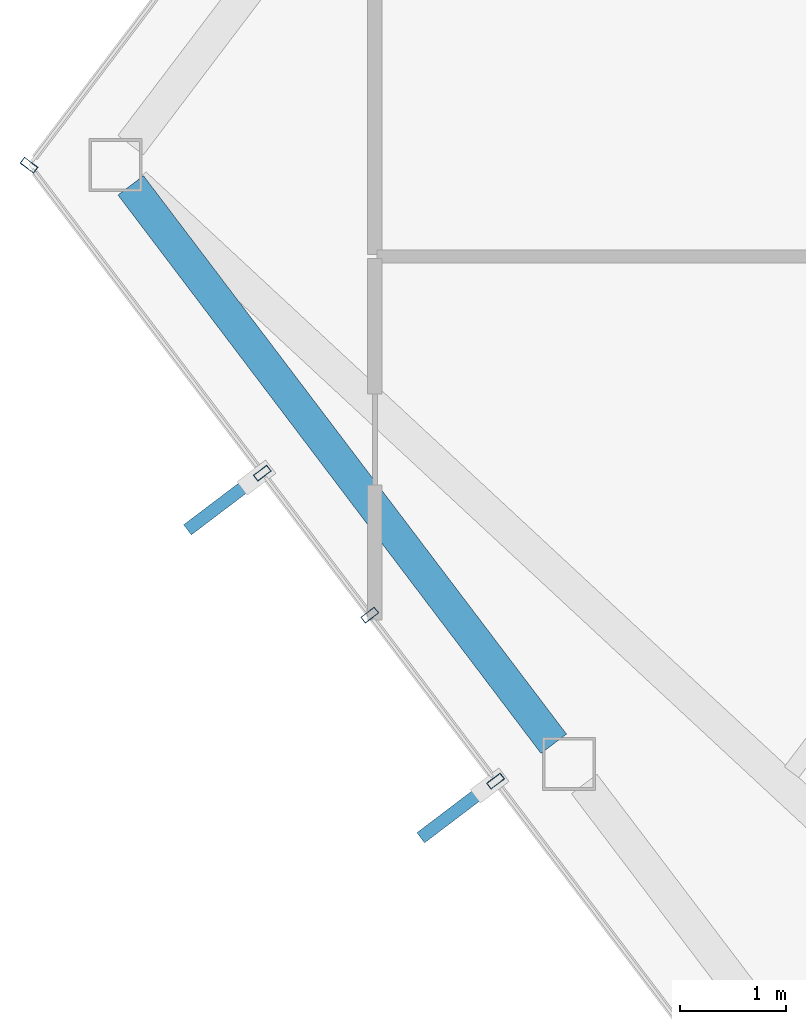
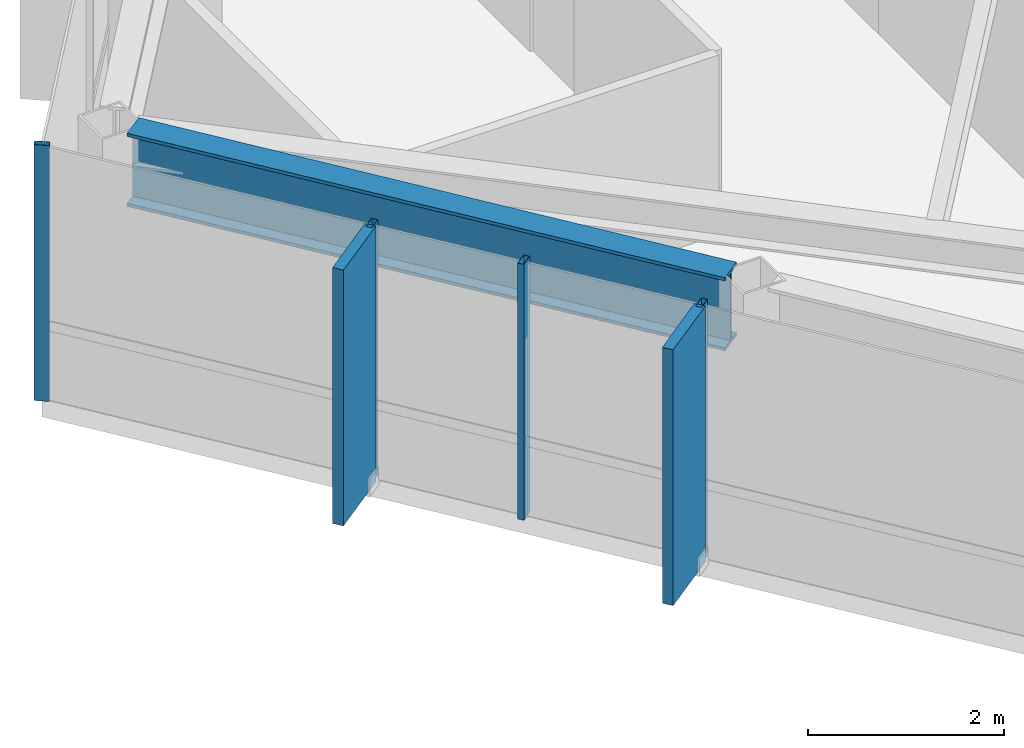
# One storey, part 8 of 25: 6 members, 1 beam, 2 elements without a shape of their own.
"""IFC4 building model written with IfcOpenShell, lengths in metres."""

import ifcopenshell
import ifcopenshell.guid

model = None  # the IFC model being written
_history = None  # IfcOwnerHistory: only IFC2X3 demands one
_inside = {}  # id of a spatial element -> (the spatial element, [elements in it])
_under = {}  # id of a project, library or spatial element -> (it, [spatial elements below it])
_declared = {}  # id of a project -> (the project, [libraries it declares])
_typed = {}  # id of a type object -> (the type object, [elements of that type])
_made_of = {}  # id of a material, layer set ... -> (it, [elements and type objects made of it])


def new_model(schema):
    """Start an empty IFC model of exactly this schema.

    Asked for "IFC4X3", IfcOpenShell would pick the latest addendum, in which some entities
    have other attributes; the version numbers below select the first issue.
    IFC2X3 requires an IfcOwnerHistory on every rooted entity: one is made here for all.
    """
    global model, _history
    if schema == "IFC4X3":
        model = ifcopenshell.file(schema_version=(4, 3, 0, 0))
    else:
        model = ifcopenshell.file(schema=schema)
    _inside.clear()
    _under.clear()
    _declared.clear()
    _typed.clear()
    _made_of.clear()
    _history = None
    if model.schema == "IFC2X3":
        org = make("IfcOrganization", Name="unknown")
        user = make(
            "IfcPersonAndOrganization",
            ThePerson=make("IfcPerson", FamilyName="unknown"),
            TheOrganization=org,
        )
        app = make(
            "IfcApplication",
            ApplicationDeveloper=org,
            Version="unknown",
            ApplicationFullName="unknown",
            ApplicationIdentifier="unknown",
        )
        _history = make(
            "IfcOwnerHistory",
            OwningUser=user,
            OwningApplication=app,
            ChangeAction="ADDED",
            CreationDate=0,
        )
    return model


def make(cls, **values):
    """One entity of the class cls with the attributes given. An attribute that is None is left unset."""
    return model.create_entity(
        cls, **{name: value for name, value in values.items() if value is not None}
    )


def rooted(cls, **values):
    """An entity with a GlobalId (a new one), such as an element, a storey or a relation."""
    return make(cls, GlobalId=ifcopenshell.guid.new(), OwnerHistory=_history, **values)


def si_unit(unit_type, name, prefix=None):
    """IfcSIUnit, for example si_unit("LENGTHUNIT", "METRE", prefix="MILLI")."""
    return make("IfcSIUnit", UnitType=unit_type, Prefix=prefix, Name=name)


def assignment(units):
    """IfcUnitAssignment: the units of a project."""
    return None if units is None else make("IfcUnitAssignment", Units=units)


def point(xyz):
    """IfcCartesianPoint."""
    return None if xyz is None else make("IfcCartesianPoint", Coordinates=xyz)


def direction(xyz):
    """IfcDirection."""
    return None if xyz is None else make("IfcDirection", DirectionRatios=xyz)


def frame(location, z_axis=None, x_axis=None):
    """IfcAxis2Placement3D, a coordinate frame: its origin and axes. An axis left out is left unset."""
    return make(
        "IfcAxis2Placement3D",
        Location=point(location),
        Axis=direction(z_axis),
        RefDirection=direction(x_axis),
    )


def frame_2d(location, x_axis=None):
    """IfcAxis2Placement2D, a coordinate frame in the plane: its origin and x axis."""
    return make(
        "IfcAxis2Placement2D", Location=point(location), RefDirection=direction(x_axis)
    )


def origin():
    """The frame at (0, 0, 0) with its axes left unset."""
    return frame((0.0, 0.0, 0.0))


def origin_2d():
    """The frame at (0, 0) in the plane with its x axis left unset."""
    return frame_2d((0.0, 0.0))


def place(relative_to, where):
    """IfcLocalPlacement: puts the frame where relative to a parent placement (None: the world)."""
    return make(
        "IfcLocalPlacement", PlacementRelTo=relative_to, RelativePlacement=where
    )


def context(
    kind, dimensions, precision=None, world=None, true_north=None, identifier=None
):
    """IfcGeometricRepresentationContext, for example the 3D "Model" context."""
    return make(
        "IfcGeometricRepresentationContext",
        ContextIdentifier=identifier,
        ContextType=kind,
        CoordinateSpaceDimension=dimensions,
        Precision=precision,
        WorldCoordinateSystem=world,
        TrueNorth=true_north,
    )


def subcontext(parent, identifier, kind, view, scale=None):
    """IfcGeometricRepresentationSubContext, for example "Body" below "Model"."""
    return make(
        "IfcGeometricRepresentationSubContext",
        ContextIdentifier=identifier,
        ContextType=kind,
        ParentContext=parent,
        TargetScale=scale,
        TargetView=view,
    )


def project(units=None, contexts=None):
    """IfcProject with its units and contexts."""
    return rooted(
        "IfcProject",
        Name="project",
        RepresentationContexts=contexts,
        UnitsInContext=assignment(units),
    )


def spatial(cls, under=None, at=None, **own):
    """A site, building, storey or space (cls), placed at a placement, below another one or the project."""
    s = rooted(cls, ObjectPlacement=at, **own)
    if under is not None:
        _under.setdefault(under.id(), (under, []))[1].append(s)
    return s


def profile(cls, at=None, kind="AREA", **sizes):
    """A parametric profile (cls). Its sizes go by their IFC names, for example OverallWidth=200.0."""
    return make(cls, ProfileType=kind, Position=at, **sizes)


def rectangle(**sizes):
    """IfcRectangleProfileDef."""
    return profile("IfcRectangleProfileDef", **sizes)


def hollow_rectangle(**sizes):
    """IfcRectangleHollowProfileDef."""
    return profile("IfcRectangleHollowProfileDef", **sizes)


def i_section(**sizes):
    """IfcIShapeProfileDef."""
    return profile("IfcIShapeProfileDef", **sizes)


def extrude(swept, where, along, depth):
    """IfcExtrudedAreaSolid: the profile swept, set in the frame where, extruded along a direction by depth."""
    return make(
        "IfcExtrudedAreaSolid",
        SweptArea=swept,
        Position=where,
        ExtrudedDirection=direction(along),
        Depth=depth,
    )


def shape(context_of_items, identifier, shape_type, items):
    """IfcShapeRepresentation: the items that make up one representation, for example the "Body"."""
    return make(
        "IfcShapeRepresentation",
        ContextOfItems=context_of_items,
        RepresentationIdentifier=identifier,
        RepresentationType=shape_type,
        Items=items,
    )


def material(Name=None, Category=None):
    """IfcMaterial."""
    return make("IfcMaterial", Name=Name, Category=Category)


def layer(
    of_material, thickness, ventilated=None, Name=None, Category=None, Priority=None
):
    """IfcMaterialLayer: one layer of a wall or slab, of a material (None: an air gap)."""
    return make(
        "IfcMaterialLayer",
        Material=of_material,
        LayerThickness=thickness,
        IsVentilated=ventilated,
        Name=Name,
        Category=Category,
        Priority=Priority,
    )


def layer_set(layers, Name=None):
    """IfcMaterialLayerSet."""
    return make("IfcMaterialLayerSet", MaterialLayers=layers, LayerSetName=Name)


def material_profile(
    of_material, cross_section, Name=None, Category=None, Priority=None
):
    """IfcMaterialProfile: a cross section and its material."""
    return make(
        "IfcMaterialProfile",
        Name=Name,
        Material=of_material,
        Profile=cross_section,
        Priority=Priority,
        Category=Category,
    )


def profile_set(profiles, Name=None, composite=None):
    """IfcMaterialProfileSet."""
    return make(
        "IfcMaterialProfileSet",
        Name=Name,
        MaterialProfiles=profiles,
        CompositeProfile=composite,
    )


def made_of(thing, what):
    """Note that an element or type object is made of a material, layer set ...; save() writes the relation."""
    if what is not None:
        _made_of.setdefault(what.id(), (what, []))[1].append(thing)
    return thing


def type_object(cls, material=None, **own):
    """A type object (cls), such as IfcWallType, which elements share."""
    return made_of(rooted(cls, **own), material)


def element(
    cls,
    number,
    at=None,
    inside=None,
    cuts=None,
    type_object=None,
    material=None,
    context=None,
    identifier="Body",
    shape_type=None,
    held_by="IfcProductDefinitionShape",
    body=None,
    shapes=None,
    **own,
):
    """One element of the class cls, such as IfcWall. Its Tag is "e" and its number.

    at: its placement. inside: the storey or other place that contains it. cuts: it is an
    opening in that element (IfcRelVoidsElement). A single representation is given by context,
    identifier, shape_type and body (its items); several are given by shapes. held_by: the class
    of the entity that holds the representations. save() writes the other relations.
    """
    e = rooted(cls, Tag="e%d" % number, ObjectPlacement=at, **own)
    if body is not None:
        shapes = [shape(context, identifier, shape_type, body)]
    if shapes is not None:
        e.Representation = make(held_by, Representations=shapes)
    if inside is not None:
        _inside.setdefault(inside.id(), (inside, []))[1].append(e)
    if cuts is not None:
        rooted(
            "IfcRelVoidsElement", RelatingBuildingElement=cuts, RelatedOpeningElement=e
        )
    if type_object is not None:
        _typed.setdefault(type_object.id(), (type_object, []))[1].append(e)
    return made_of(e, material)


def aggregate(whole, parts):
    """IfcRelAggregates: a whole, such as a stair, and the parts it consists of."""
    return rooted("IfcRelAggregates", RelatingObject=whole, RelatedObjects=parts)


def save(model, path):
    """Write the relations noted so far, then the file.

    IfcRelAggregates (storeys below a building ...), IfcRelContainedInSpatialStructure (elements
    in a storey), IfcRelDefinesByType, IfcRelAssociatesMaterial and IfcRelDeclares: one each for
    every whole, place, type object, material and project.
    """
    for whole, parts in _under.values():
        aggregate(whole, parts)
    for where, things in _inside.values():
        rooted(
            "IfcRelContainedInSpatialStructure",
            RelatedElements=things,
            RelatingStructure=where,
        )
    for kind, things in _typed.values():
        rooted("IfcRelDefinesByType", RelatedObjects=things, RelatingType=kind)
    for what, things in _made_of.values():
        rooted("IfcRelAssociatesMaterial", RelatedObjects=things, RelatingMaterial=what)
    for by, libraries in _declared.values():
        rooted("IfcRelDeclares", RelatingContext=by, RelatedDefinitions=libraries)
    model.write(path)


model = new_model("IFC4")

# Units and contexts
model_context = context("Model", 3, precision=1e-05, world=origin(), true_north=direction((0.0, 1.0)))
body_context = subcontext(model_context, "Body", "Model", "MODEL_VIEW")
ifc_project = project(units=[si_unit("LENGTHUNIT", "METRE"), si_unit("AREAUNIT", "SQUARE_METRE"), si_unit("VOLUMEUNIT", "CUBIC_METRE"), si_unit("PLANEANGLEUNIT", "RADIAN"), si_unit("MASSUNIT", "GRAM", prefix="KILO")], contexts=[model_context])

# Site, building, storey
site_placement = place(None, origin())
site = spatial("IfcSite", under=ifc_project, at=site_placement, CompositionType="ELEMENT")
building_placement = place(site_placement, origin())
building = spatial("IfcBuilding", under=site, at=building_placement, Name="Zarrinselat Tower", CompositionType="ELEMENT")
storey_placement = place(building_placement, frame((0.0, 0.0, 261.800048828125)))
storey = spatial("IfcBuildingStorey", under=building, at=storey_placement, Name="L66", CompositionType="ELEMENT", Elevation=261.800048828125)

# Beam
ifc_material_1 = material(Name="Steel S460M", Category="steel")
ifc_material_profile_1 = material_profile(ifc_material_1, i_section(OverallWidth=0.302001953125, OverallDepth=0.909912109375, WebThickness=0.02099609375, FlangeThickness=0.0400390625, at=origin_2d()), Name="HEM 900")
ifc_profile_set_1 = profile_set([ifc_material_profile_1], Name="Steel S460M")
beam_type = type_object("IfcBeamType", Name="BM-HEM900", PredefinedType="BEAM", material=ifc_profile_set_1)
beam_placement = place(storey_placement, frame((16.819091796875, 42.009765625, 2.724853515625), z_axis=(0.603884016578, -0.797072201574, 0.0), x_axis=(0.797072201574, 0.603884016578, 0.0)))
element("IfcBeam", 1, at=beam_placement, inside=storey, type_object=beam_type, Name="L66 Perimeter Spandrel Girder SP06", PredefinedType="BEAM", context=body_context, shape_type="SweptSolid", body=[
    extrude(i_section(OverallWidth=0.302001953125, OverallDepth=0.909912109375, WebThickness=0.02099609375, FlangeThickness=0.0400390625, at=origin_2d()), origin(), (0.0, 0.0, 1.0), 6.605712890625),
])

# Curtain wall, member
ifc_material_2 = material(Name="Extruded Aluminium Alloy EN AW-6063 T6", Category="aluminium")
ifc_layer = layer(ifc_material_2, 0.169921875)
ifc_layer_set = layer_set([ifc_layer], Name="Extruded Aluminium Alloy EN AW-6063 T6")
curtain_wall_type = type_object("IfcCurtainWallType", Name="CWS-RES", PredefinedType="NOTDEFINED", material=ifc_layer_set)
curtain_wall_1_placement = place(storey_placement, origin())
curtain_wall_1 = element("IfcCurtainWall", 2, at=curtain_wall_1_placement, inside=storey, type_object=curtain_wall_type, Name="L66 Unitised Curtain Wall CW-L66-E02", PredefinedType="NOTDEFINED")
ifc_material_3 = material(Name="Extruded Aluminium Alloy EN AW-6063 T6", Category="aluminium")
ifc_material_profile_2 = material_profile(ifc_material_3, hollow_rectangle(XDim=0.070068359375, YDim=0.159912109375, WallThickness=0.00390625, at=origin_2d()), Name="RHS 160x70x4")
ifc_profile_set_2 = profile_set([ifc_material_profile_2], Name="Extruded Aluminium Alloy EN AW-6063 T6")
member_type_1 = type_object("IfcMemberType", Name="MEM-CW-MUL2", PredefinedType="MULLION", material=ifc_profile_set_2)
member_1_placement = place(storey_placement, frame((15.860107421875, 42.199462890625, 0.0), z_axis=(0.0, 0.0, 1.0), x_axis=(-0.60385470922, -0.797094404793, 0.0)))
member_1 = element("IfcMember", 3, at=member_1_placement, type_object=member_type_1, Name="CW-L66-E02 Mullion 3", PredefinedType="MULLION", context=body_context, shape_type="SweptSolid", body=[
    extrude(hollow_rectangle(XDim=0.070068359375, YDim=0.159912109375, WallThickness=0.00390625, at=origin_2d()), origin(), (0.0, 0.0, 1.0), 3.179931640625),
])
aggregate(curtain_wall_1, [member_1])

# Curtain wall, members
curtain_wall_2_placement = place(storey_placement, origin())
curtain_wall_2 = element("IfcCurtainWall", 4, at=curtain_wall_2_placement, inside=storey, type_object=curtain_wall_type, Name="L66 Unitised Curtain Wall CW-L66-E03", PredefinedType="NOTDEFINED")
member_2_placement = place(storey_placement, frame((18.059814453125, 39.2958984375, 0.0), z_axis=(0.0, 0.0, 1.0), x_axis=(0.603858282603, -0.797091697694, 0.0)))
member_2 = element("IfcMember", 5, at=member_2_placement, type_object=member_type_1, Name="CW-L66-E03 Mullion 1", PredefinedType="MULLION", context=body_context, shape_type="SweptSolid", body=[
    extrude(hollow_rectangle(XDim=0.070068359375, YDim=0.159912109375, WallThickness=0.00390625, at=origin_2d()), origin(), (0.0, 0.0, 1.0), 3.179931640625),
])
member_3_placement = place(storey_placement, frame((19.07373046875, 37.957275390625, 0.0), z_axis=(0.0, 0.0, 1.0), x_axis=(0.603858282603, -0.797091697694, 0.0)))
member_3 = element("IfcMember", 6, at=member_3_placement, type_object=member_type_1, Name="CW-L66-E03 Mullion 2", PredefinedType="MULLION", context=body_context, shape_type="SweptSolid", body=[
    extrude(hollow_rectangle(XDim=0.070068359375, YDim=0.159912109375, WallThickness=0.00390625, at=origin_2d()), origin(), (0.0, 0.0, 1.0), 3.179931640625),
])
member_4_placement = place(storey_placement, frame((20.25927734375, 36.392333984375, 0.0), z_axis=(0.0, 0.0, 1.0), x_axis=(0.603858282603, -0.797091697694, 0.0)))
member_4 = element("IfcMember", 7, at=member_4_placement, type_object=member_type_1, Name="CW-L66-E03 Mullion 3", PredefinedType="MULLION", context=body_context, shape_type="SweptSolid", body=[
    extrude(hollow_rectangle(XDim=0.070068359375, YDim=0.159912109375, WallThickness=0.00390625, at=origin_2d()), origin(), (0.0, 0.0, 1.0), 3.179931640625),
])
ifc_material_4 = material(Name="Honed Cream Travertine Stone", Category="masonry")
ifc_material_profile_3 = material_profile(ifc_material_4, rectangle(XDim=0.1201171875, YDim=0.85009765625, at=origin_2d()), Name="FIN 850x120")
ifc_profile_set_3 = profile_set([ifc_material_profile_3], Name="Honed Cream Travertine Stone")
member_type_2 = type_object("IfcMemberType", Name="MEM-STONE-FIN", PredefinedType="USERDEFINED", material=ifc_profile_set_3)
member_5_placement = place(storey_placement, frame((17.693115234375, 39.01806640625, 0.0), z_axis=(0.0, 0.0, 1.0), x_axis=(-0.603858282603, 0.797091697694, 0.0)))
member_5 = element("IfcMember", 8, at=member_5_placement, type_object=member_type_2, Name="L66 Stone Shading Fin CW-L66-E03-01", ObjectType="FIN", PredefinedType="USERDEFINED", context=body_context, shape_type="SweptSolid", body=[
    extrude(rectangle(XDim=0.1201171875, YDim=0.85009765625, at=origin_2d()), origin(), (0.0, 0.0, 1.0), 3.179931640625),
])
member_6_placement = place(storey_placement, frame((19.892578125, 36.114501953125, 0.0), z_axis=(0.0, 0.0, 1.0), x_axis=(-0.603858282603, 0.797091697694, 0.0)))
member_6 = element("IfcMember", 9, at=member_6_placement, type_object=member_type_2, Name="L66 Stone Shading Fin CW-L66-E03-03", ObjectType="FIN", PredefinedType="USERDEFINED", context=body_context, shape_type="SweptSolid", body=[
    extrude(rectangle(XDim=0.1201171875, YDim=0.85009765625, at=origin_2d()), origin(), (0.0, 0.0, 1.0), 3.179931640625),
])
aggregate(curtain_wall_2, [member_2, member_5, member_3, member_4, member_6])

save(model, "model.ifc")
